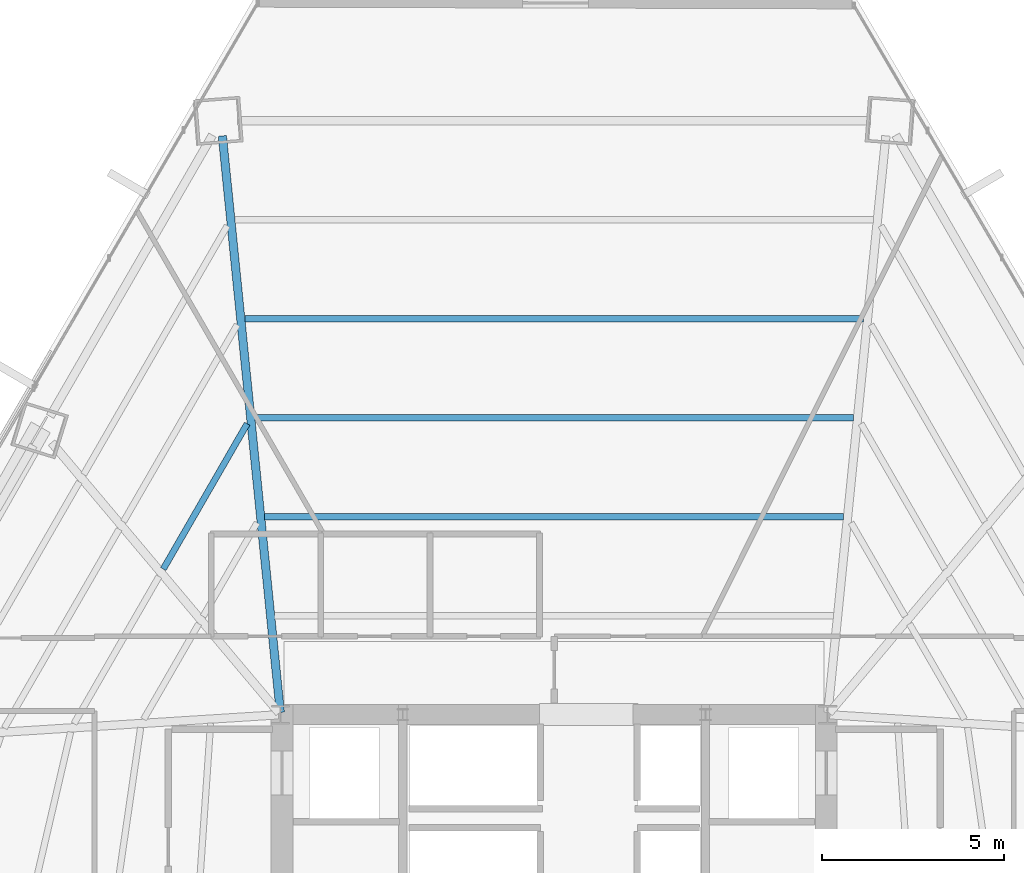
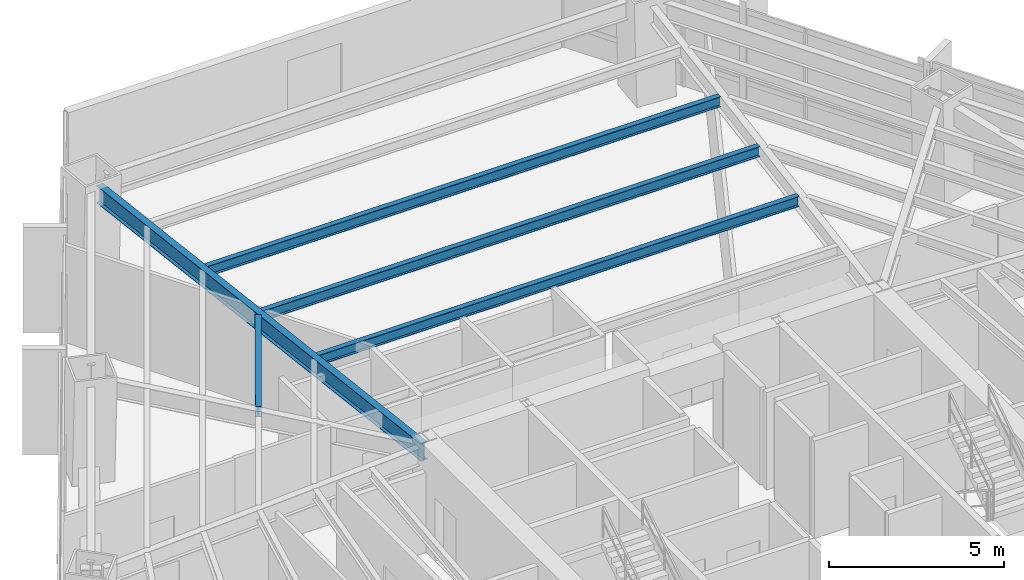
# One storey, part 19 of 29: 5 beams.
"""IFC4 building model written with IfcOpenShell, lengths in metres."""

import ifcopenshell
import ifcopenshell.guid

model = None  # the IFC model being written
_history = None  # IfcOwnerHistory: only IFC2X3 demands one
_inside = {}  # id of a spatial element -> (the spatial element, [elements in it])
_under = {}  # id of a project, library or spatial element -> (it, [spatial elements below it])
_declared = {}  # id of a project -> (the project, [libraries it declares])
_typed = {}  # id of a type object -> (the type object, [elements of that type])
_made_of = {}  # id of a material, layer set ... -> (it, [elements and type objects made of it])


def new_model(schema):
    """Start an empty IFC model of exactly this schema.

    Asked for "IFC4X3", IfcOpenShell would pick the latest addendum, in which some entities
    have other attributes; the version numbers below select the first issue.
    IFC2X3 requires an IfcOwnerHistory on every rooted entity: one is made here for all.
    """
    global model, _history
    if schema == "IFC4X3":
        model = ifcopenshell.file(schema_version=(4, 3, 0, 0))
    else:
        model = ifcopenshell.file(schema=schema)
    _inside.clear()
    _under.clear()
    _declared.clear()
    _typed.clear()
    _made_of.clear()
    _history = None
    if model.schema == "IFC2X3":
        org = make("IfcOrganization", Name="unknown")
        user = make(
            "IfcPersonAndOrganization",
            ThePerson=make("IfcPerson", FamilyName="unknown"),
            TheOrganization=org,
        )
        app = make(
            "IfcApplication",
            ApplicationDeveloper=org,
            Version="unknown",
            ApplicationFullName="unknown",
            ApplicationIdentifier="unknown",
        )
        _history = make(
            "IfcOwnerHistory",
            OwningUser=user,
            OwningApplication=app,
            ChangeAction="ADDED",
            CreationDate=0,
        )
    return model


def make(cls, **values):
    """One entity of the class cls with the attributes given. An attribute that is None is left unset."""
    return model.create_entity(
        cls, **{name: value for name, value in values.items() if value is not None}
    )


def rooted(cls, **values):
    """An entity with a GlobalId (a new one), such as an element, a storey or a relation."""
    return make(cls, GlobalId=ifcopenshell.guid.new(), OwnerHistory=_history, **values)


def si_unit(unit_type, name, prefix=None):
    """IfcSIUnit, for example si_unit("LENGTHUNIT", "METRE", prefix="MILLI")."""
    return make("IfcSIUnit", UnitType=unit_type, Prefix=prefix, Name=name)


def assignment(units):
    """IfcUnitAssignment: the units of a project."""
    return None if units is None else make("IfcUnitAssignment", Units=units)


def point(xyz):
    """IfcCartesianPoint."""
    return None if xyz is None else make("IfcCartesianPoint", Coordinates=xyz)


def direction(xyz):
    """IfcDirection."""
    return None if xyz is None else make("IfcDirection", DirectionRatios=xyz)


def frame(location, z_axis=None, x_axis=None):
    """IfcAxis2Placement3D, a coordinate frame: its origin and axes. An axis left out is left unset."""
    return make(
        "IfcAxis2Placement3D",
        Location=point(location),
        Axis=direction(z_axis),
        RefDirection=direction(x_axis),
    )


def frame_2d(location, x_axis=None):
    """IfcAxis2Placement2D, a coordinate frame in the plane: its origin and x axis."""
    return make(
        "IfcAxis2Placement2D", Location=point(location), RefDirection=direction(x_axis)
    )


def origin():
    """The frame at (0, 0, 0) with its axes left unset."""
    return frame((0.0, 0.0, 0.0))


def origin_2d():
    """The frame at (0, 0) in the plane with its x axis left unset."""
    return frame_2d((0.0, 0.0))


def place(relative_to, where):
    """IfcLocalPlacement: puts the frame where relative to a parent placement (None: the world)."""
    return make(
        "IfcLocalPlacement", PlacementRelTo=relative_to, RelativePlacement=where
    )


def context(
    kind, dimensions, precision=None, world=None, true_north=None, identifier=None
):
    """IfcGeometricRepresentationContext, for example the 3D "Model" context."""
    return make(
        "IfcGeometricRepresentationContext",
        ContextIdentifier=identifier,
        ContextType=kind,
        CoordinateSpaceDimension=dimensions,
        Precision=precision,
        WorldCoordinateSystem=world,
        TrueNorth=true_north,
    )


def subcontext(parent, identifier, kind, view, scale=None):
    """IfcGeometricRepresentationSubContext, for example "Body" below "Model"."""
    return make(
        "IfcGeometricRepresentationSubContext",
        ContextIdentifier=identifier,
        ContextType=kind,
        ParentContext=parent,
        TargetScale=scale,
        TargetView=view,
    )


def project(units=None, contexts=None):
    """IfcProject with its units and contexts."""
    return rooted(
        "IfcProject",
        Name="project",
        RepresentationContexts=contexts,
        UnitsInContext=assignment(units),
    )


def spatial(cls, under=None, at=None, **own):
    """A site, building, storey or space (cls), placed at a placement, below another one or the project."""
    s = rooted(cls, ObjectPlacement=at, **own)
    if under is not None:
        _under.setdefault(under.id(), (under, []))[1].append(s)
    return s


def profile(cls, at=None, kind="AREA", **sizes):
    """A parametric profile (cls). Its sizes go by their IFC names, for example OverallWidth=200.0."""
    return make(cls, ProfileType=kind, Position=at, **sizes)


def i_section(**sizes):
    """IfcIShapeProfileDef."""
    return profile("IfcIShapeProfileDef", **sizes)


def extrude(swept, where, along, depth):
    """IfcExtrudedAreaSolid: the profile swept, set in the frame where, extruded along a direction by depth."""
    return make(
        "IfcExtrudedAreaSolid",
        SweptArea=swept,
        Position=where,
        ExtrudedDirection=direction(along),
        Depth=depth,
    )


def shape(context_of_items, identifier, shape_type, items):
    """IfcShapeRepresentation: the items that make up one representation, for example the "Body"."""
    return make(
        "IfcShapeRepresentation",
        ContextOfItems=context_of_items,
        RepresentationIdentifier=identifier,
        RepresentationType=shape_type,
        Items=items,
    )


def source(mapping_origin, context_of_items, identifier, shape_type, items):
    """IfcRepresentationMap: a shape defined once, which mapped items show again and again."""
    return make(
        "IfcRepresentationMap",
        MappingOrigin=mapping_origin,
        MappedRepresentation=shape(context_of_items, identifier, shape_type, items),
    )


def transform(
    local_origin,
    x_axis=None,
    y_axis=None,
    z_axis=None,
    scale=None,
    scale2=None,
    scale3=None,
    uniform=True,
):
    """IfcCartesianTransformationOperator3D, or its non-uniform kind. x_axis, y_axis, z_axis: its Axis1, 2, 3."""
    if uniform:
        return make(
            "IfcCartesianTransformationOperator3D",
            Axis1=direction(x_axis),
            Axis2=direction(y_axis),
            LocalOrigin=point(local_origin),
            Scale=scale,
            Axis3=direction(z_axis),
        )
    return make(
        "IfcCartesianTransformationOperator3DnonUniform",
        Axis1=direction(x_axis),
        Axis2=direction(y_axis),
        LocalOrigin=point(local_origin),
        Scale=scale,
        Axis3=direction(z_axis),
        Scale2=scale2,
        Scale3=scale3,
    )


def mapped(mapping_source, mapping_target):
    """IfcMappedItem: shows the shape of a source again, moved by a transform."""
    return make(
        "IfcMappedItem", MappingSource=mapping_source, MappingTarget=mapping_target
    )


def material(Name=None, Category=None):
    """IfcMaterial."""
    return make("IfcMaterial", Name=Name, Category=Category)


def material_profile(
    of_material, cross_section, Name=None, Category=None, Priority=None
):
    """IfcMaterialProfile: a cross section and its material."""
    return make(
        "IfcMaterialProfile",
        Name=Name,
        Material=of_material,
        Profile=cross_section,
        Priority=Priority,
        Category=Category,
    )


def profile_set(profiles, Name=None, composite=None):
    """IfcMaterialProfileSet."""
    return make(
        "IfcMaterialProfileSet",
        Name=Name,
        MaterialProfiles=profiles,
        CompositeProfile=composite,
    )


def made_of(thing, what):
    """Note that an element or type object is made of a material, layer set ...; save() writes the relation."""
    if what is not None:
        _made_of.setdefault(what.id(), (what, []))[1].append(thing)
    return thing


def type_object(cls, material=None, **own):
    """A type object (cls), such as IfcWallType, which elements share."""
    return made_of(rooted(cls, **own), material)


def type_shapes(of_type, sources):
    """Give a type object the sources (RepresentationMaps) that its elements show as mapped items."""
    of_type.RepresentationMaps = sources


def element(
    cls,
    number,
    at=None,
    inside=None,
    cuts=None,
    type_object=None,
    material=None,
    context=None,
    identifier="Body",
    shape_type=None,
    held_by="IfcProductDefinitionShape",
    body=None,
    shapes=None,
    **own,
):
    """One element of the class cls, such as IfcWall. Its Tag is "e" and its number.

    at: its placement. inside: the storey or other place that contains it. cuts: it is an
    opening in that element (IfcRelVoidsElement). A single representation is given by context,
    identifier, shape_type and body (its items); several are given by shapes. held_by: the class
    of the entity that holds the representations. save() writes the other relations.
    """
    e = rooted(cls, Tag="e%d" % number, ObjectPlacement=at, **own)
    if body is not None:
        shapes = [shape(context, identifier, shape_type, body)]
    if shapes is not None:
        e.Representation = make(held_by, Representations=shapes)
    if inside is not None:
        _inside.setdefault(inside.id(), (inside, []))[1].append(e)
    if cuts is not None:
        rooted(
            "IfcRelVoidsElement", RelatingBuildingElement=cuts, RelatedOpeningElement=e
        )
    if type_object is not None:
        _typed.setdefault(type_object.id(), (type_object, []))[1].append(e)
    return made_of(e, material)


def aggregate(whole, parts):
    """IfcRelAggregates: a whole, such as a stair, and the parts it consists of."""
    return rooted("IfcRelAggregates", RelatingObject=whole, RelatedObjects=parts)


def save(model, path):
    """Write the relations noted so far, then the file.

    IfcRelAggregates (storeys below a building ...), IfcRelContainedInSpatialStructure (elements
    in a storey), IfcRelDefinesByType, IfcRelAssociatesMaterial and IfcRelDeclares: one each for
    every whole, place, type object, material and project.
    """
    for whole, parts in _under.values():
        aggregate(whole, parts)
    for where, things in _inside.values():
        rooted(
            "IfcRelContainedInSpatialStructure",
            RelatedElements=things,
            RelatingStructure=where,
        )
    for kind, things in _typed.values():
        rooted("IfcRelDefinesByType", RelatedObjects=things, RelatingType=kind)
    for what, things in _made_of.values():
        rooted("IfcRelAssociatesMaterial", RelatedObjects=things, RelatingMaterial=what)
    for by, libraries in _declared.values():
        rooted("IfcRelDeclares", RelatingContext=by, RelatedDefinitions=libraries)
    model.write(path)


model = new_model("IFC4")

# Units and contexts
model_context = context("Model", 3, precision=1e-05, world=origin(), true_north=direction((0.0, 1.0)))
body_context = subcontext(model_context, "Body", "Model", "MODEL_VIEW")
ifc_project = project(units=[si_unit("LENGTHUNIT", "METRE"), si_unit("AREAUNIT", "SQUARE_METRE"), si_unit("VOLUMEUNIT", "CUBIC_METRE"), si_unit("PLANEANGLEUNIT", "RADIAN"), si_unit("MASSUNIT", "GRAM", prefix="KILO")], contexts=[model_context])

# Site, building, storey
site_placement = place(None, origin())
site = spatial("IfcSite", under=ifc_project, at=site_placement, CompositionType="ELEMENT")
building_placement = place(site_placement, origin())
building = spatial("IfcBuilding", under=site, at=building_placement, Name="Caelisora Broadcast Tower", CompositionType="ELEMENT")
storey_placement = place(building_placement, frame((0.0, 0.0, 31.25)))
storey = spatial("IfcBuildingStorey", under=building, at=storey_placement, Name="L07", CompositionType="ELEMENT", Elevation=31.25)

# Beams
ifc_material = material(Name="Steel Grade 350 (AS/NZS 3679.1)", Category="steel")
ifc_material_profile_1 = material_profile(ifc_material, i_section(OverallWidth=0.22802734375, OverallDepth=0.602294921875, WebThickness=0.010498046875, FlangeThickness=0.014892578125, at=origin_2d()), Name="Steel Grade 350 (AS/NZS 3679.1)")
ifc_profile_set_1 = profile_set([ifc_material_profile_1], Name="Steel Grade 350 (AS/NZS 3679.1)")
beam_type_1 = type_object("IfcBeamType", Name="PG04", PredefinedType="BEAM", material=ifc_profile_set_1)
shared_shape_1 = source(origin(), body_context, "Body", "SweptSolid", [
    extrude(i_section(OverallWidth=0.22802734375, OverallDepth=0.602294921875, WebThickness=0.010498046875, FlangeThickness=0.014892578125, at=origin_2d()), origin(), (0.0, 0.0, 1.0), 15.88671875),
])
type_shapes(beam_type_1, [shared_shape_1])
beam_1_placement = place(storey_placement, frame((30.493896484375, 30.059814453125, 3.098876953125), z_axis=(-0.100027113469, 0.994984711727, 0.0), x_axis=(-0.994984711727, -0.100027113469, 0.0)))
element("IfcBeam", 1, at=beam_1_placement, inside=storey, type_object=beam_type_1, Name="L07 beam PG04", PredefinedType="BEAM", context=body_context, shape_type="MappedRepresentation", body=[
    mapped(shared_shape_1, transform((0.0, 0.0, 0.0), scale=1.0)),
])
ifc_material_profile_2 = material_profile(ifc_material, i_section(OverallWidth=0.172119140625, OverallDepth=0.358642578125, WebThickness=0.008056640625, FlangeThickness=0.012939453125, at=origin_2d()), Name="Steel Grade 350 (AS/NZS 3679.1)")
ifc_profile_set_2 = profile_set([ifc_material_profile_2], Name="Steel Grade 350 (AS/NZS 3679.1)")
beam_type_2 = type_object("IfcBeamType", Name="SB02", PredefinedType="JOIST", material=ifc_profile_set_2)
shared_shape_2 = source(origin(), body_context, "Body", "SweptSolid", [
    extrude(i_section(OverallWidth=0.172119140625, OverallDepth=0.358642578125, WebThickness=0.008056640625, FlangeThickness=0.012939453125, at=origin_2d()), origin(), (0.0, 0.0, 1.0), 15.8681640625),
])
beam_2_placement = place(storey_placement, frame((45.93408203125, 35.42822265625, 3.220703125), z_axis=(-1.0, 0.0, 0.0), x_axis=(0.0, -1.0, 0.0)))
element("IfcBeam", 2, at=beam_2_placement, inside=storey, type_object=beam_type_2, Name="L07 beam SB02", PredefinedType="JOIST", context=body_context, shape_type="MappedRepresentation", body=[
    mapped(shared_shape_2, transform((0.0, 0.0, 0.0), scale=1.0)),
])
shared_shape_3 = source(origin(), body_context, "Body", "SweptSolid", [
    extrude(i_section(OverallWidth=0.172119140625, OverallDepth=0.358642578125, WebThickness=0.008056640625, FlangeThickness=0.012939453125, at=origin_2d()), origin(), (0.0, 0.0, 1.0), 16.413818359375),
])
beam_3_placement = place(storey_placement, frame((46.206787109375, 38.142333984375, 3.220703125), z_axis=(-1.0, 0.0, 0.0), x_axis=(0.0, -1.0, 0.0)))
element("IfcBeam", 3, at=beam_3_placement, inside=storey, type_object=beam_type_2, Name="L07 beam SB02", PredefinedType="JOIST", context=body_context, shape_type="MappedRepresentation", body=[
    mapped(shared_shape_3, transform((0.0, 0.0, 0.0), scale=1.0)),
])
shared_shape_4 = source(origin(), body_context, "Body", "SweptSolid", [
    extrude(i_section(OverallWidth=0.172119140625, OverallDepth=0.358642578125, WebThickness=0.008056640625, FlangeThickness=0.012939453125, at=origin_2d()), origin(), (0.0, 0.0, 1.0), 16.95947265625),
])
beam_4_placement = place(storey_placement, frame((46.479736328125, 40.8564453125, 3.220703125), z_axis=(-1.0, 0.0, 0.0), x_axis=(0.0, -1.0, 0.0)))
element("IfcBeam", 4, at=beam_4_placement, inside=storey, type_object=beam_type_2, Name="L07 beam SB02", PredefinedType="JOIST", context=body_context, shape_type="MappedRepresentation", body=[
    mapped(shared_shape_4, transform((0.0, 0.0, 0.0), scale=1.0)),
])
shared_shape_5 = source(origin(), body_context, "Body", "SweptSolid", [
    extrude(i_section(OverallWidth=0.172119140625, OverallDepth=0.358642578125, WebThickness=0.008056640625, FlangeThickness=0.012939453125, at=origin_2d()), origin(), (0.0, 0.0, 1.0), 4.599853515625),
])
type_shapes(beam_type_2, [shared_shape_2, shared_shape_3, shared_shape_4, shared_shape_5])
beam_5_placement = place(storey_placement, frame((29.585205078125, 37.97607421875, 3.220703125), z_axis=(-0.499975146636, -0.866039752405, 0.0), x_axis=(0.866039752405, -0.499975146636, 0.0)))
element("IfcBeam", 5, at=beam_5_placement, inside=storey, type_object=beam_type_2, Name="L07 beam SB02", PredefinedType="JOIST", context=body_context, shape_type="MappedRepresentation", body=[
    mapped(shared_shape_5, transform((0.0, 0.0, 0.0), scale=1.0)),
])

save(model, "model.ifc")
